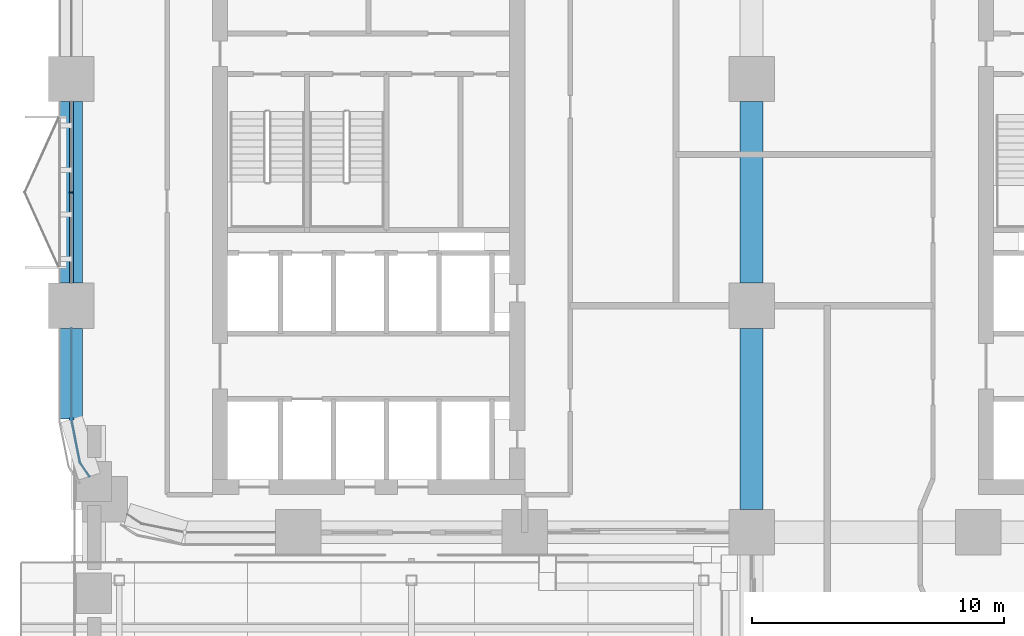
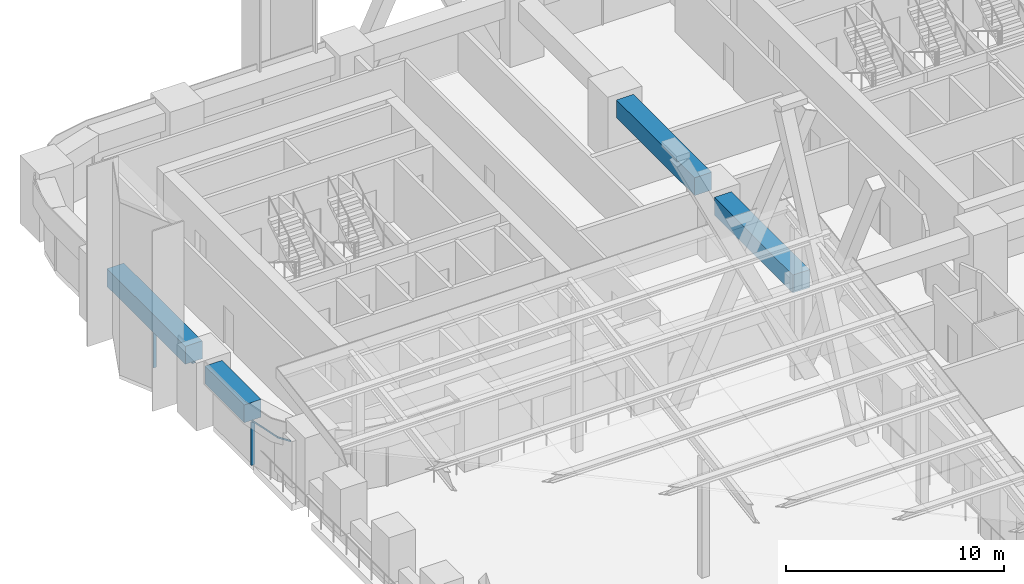
# One storey, part 6 of 22: 4 beams, 4 members, 2 elements without a shape of their own.
"""IFC4 building model written with IfcOpenShell, lengths in metres."""

from ifc_helpers import new_model, si_unit, direction, frame, origin, origin_2d, place, context, subcontext, project, spatial, polyline, rectangle, outline, extrude, material, material_profile, profile_set, type_object, element, aggregate, save


model = new_model("IFC4")

# Units and contexts
model_context = context("Model", 3, precision=1e-05, world=origin(), true_north=direction((0.0, 1.0)))
body_context = subcontext(model_context, "Body", "Model", "MODEL_VIEW")
ifc_project = project(units=[si_unit("LENGTHUNIT", "METRE"), si_unit("AREAUNIT", "SQUARE_METRE"), si_unit("VOLUMEUNIT", "CUBIC_METRE"), si_unit("PLANEANGLEUNIT", "RADIAN"), si_unit("MASSUNIT", "GRAM", prefix="KILO")], contexts=[model_context])

# Site, building, storey
site_placement = place(None, origin())
site = spatial("IfcSite", under=ifc_project, at=site_placement, CompositionType="ELEMENT")
building_placement = place(site_placement, origin())
building = spatial("IfcBuilding", under=site, at=building_placement, Name="Tessera Arch", CompositionType="ELEMENT")
storey_placement = place(building_placement, frame((0.0, 0.0, 77.800048828125)))
storey = spatial("IfcBuildingStorey", under=building, at=storey_placement, Name="L17", CompositionType="ELEMENT", Elevation=77.800048828125)

# Curtain wall, members
ifc_material_1 = material(Name="CW1 curtain wall")
curtain_wall_type_1 = type_object("IfcCurtainWallType", Name="CW1 curtain wall", PredefinedType="NOTDEFINED", material=ifc_material_1)
curtain_wall_1_placement = place(storey_placement, origin())
curtain_wall_1 = element("IfcCurtainWall", 1, at=curtain_wall_1_placement, inside=storey, type_object=curtain_wall_type_1, Name="CW1 curtain wall W0.27/1 L17", PredefinedType="NOTDEFINED")
ifc_material_2 = material(Name="Anodised aluminium pale metal", Category="aluminium")
ifc_material_profile_1 = material_profile(ifc_material_2, rectangle(XDim=0.159912109375, YDim=0.06005859375, at=origin_2d()), Name="AL 60x160")
ifc_profile_set_1 = profile_set([ifc_material_profile_1], Name="Anodised aluminium pale metal")
member_type_1 = type_object("IfcMemberType", Name="CW1 mullion", PredefinedType="MULLION", material=ifc_profile_set_1)
member_1_placement = place(storey_placement, frame((0.0, 40.5, 0.0), z_axis=(0.0, 0.0, 1.0), x_axis=(1.0, 0.0, 0.0)))
member_1 = element("IfcMember", 2, at=member_1_placement, type_object=member_type_1, Name="CW1 mullion W0.27/1 1", PredefinedType="MULLION", context=body_context, shape_type="SweptSolid", body=[
    extrude(rectangle(XDim=0.159912109375, YDim=0.06005859375, at=origin_2d()), origin(), (0.0, 0.0, 1.0), 2.39990234375),
])
ifc_material_3 = material(Name="Anodised aluminium pale metal", Category="aluminium")
ifc_material_profile_2 = material_profile(ifc_material_3, rectangle(XDim=0.159912109375, YDim=0.10009765625, at=origin_2d()), Name="AL 160x100")
ifc_profile_set_2 = profile_set([ifc_material_profile_2], Name="Anodised aluminium pale metal")
member_type_2 = type_object("IfcMemberType", Name="CW1 transom", PredefinedType="USERDEFINED", material=ifc_profile_set_2)
member_2_placement = place(storey_placement, frame((0.0, 44.10009765625, 2.449951171875), z_axis=(0.0, -1.0, 0.0), x_axis=(1.0, 0.0, 0.0)))
member_2 = element("IfcMember", 3, at=member_2_placement, type_object=member_type_2, Name="CW1 transom W0.27/1 1.1", ObjectType="TRANSOM", PredefinedType="USERDEFINED", context=body_context, shape_type="SweptSolid", body=[
    extrude(rectangle(XDim=0.159912109375, YDim=0.10009765625, at=origin_2d()), origin(), (0.0, 0.0, 1.0), 7.2001953125),
])
aggregate(curtain_wall_1, [member_1, member_2])

ifc_material_4 = material(Name="CW2 curtain wall")
curtain_wall_type_2 = type_object("IfcCurtainWallType", Name="CW2 curtain wall", PredefinedType="NOTDEFINED", material=ifc_material_4)
curtain_wall_2_placement = place(storey_placement, origin())
curtain_wall_2 = element("IfcCurtainWall", 4, at=curtain_wall_2_placement, inside=storey, type_object=curtain_wall_type_2, Name="CW2 curtain wall W0.27/2 L17", PredefinedType="NOTDEFINED")
ifc_material_5 = material(Name="Anodised aluminium pale metal", Category="aluminium")
ifc_material_profile_3 = material_profile(ifc_material_5, rectangle(XDim=0.199951171875, YDim=0.080078125, at=origin_2d()), Name="AL 80x200")
ifc_profile_set_3 = profile_set([ifc_material_profile_3], Name="Anodised aluminium pale metal")
member_type_3 = type_object("IfcMemberType", Name="CW2 mullion", PredefinedType="MULLION", material=ifc_profile_set_3)
member_3_placement = place(storey_placement, frame((0.0, 31.5, 0.0), z_axis=(0.0, 0.0, 1.0), x_axis=(1.0, 0.0, 0.0)))
member_3 = element("IfcMember", 5, at=member_3_placement, type_object=member_type_3, Name="CW2 mullion W0.27/2 1", PredefinedType="MULLION", context=body_context, shape_type="SweptSolid", body=[
    extrude(rectangle(XDim=0.199951171875, YDim=0.080078125, at=origin_2d()), origin(), (0.0, 0.0, 1.0), 2.39990234375),
])
ifc_material_6 = material(Name="Anodised aluminium pale metal", Category="aluminium")
ifc_material_profile_4 = material_profile(ifc_material_6, rectangle(XDim=0.199951171875, YDim=0.10009765625, at=origin_2d()), Name="AL 200x100")
ifc_profile_set_4 = profile_set([ifc_material_profile_4], Name="Anodised aluminium pale metal")
member_type_4 = type_object("IfcMemberType", Name="CW2 transom", PredefinedType="USERDEFINED", material=ifc_profile_set_4)
member_4_placement = place(storey_placement, frame((0.0, 0.0, 2.39990234375)))
member_4 = element("IfcMember", 6, at=member_4_placement, type_object=member_type_4, Name="CW2 transom W0.27/2 1", ObjectType="TRANSOM", PredefinedType="USERDEFINED", context=body_context, shape_type="SweptSolid", body=[
    extrude(outline(polyline([(0.010009765625, 31.5009765625), (0.010009765625, 35.10009765625), (-0.010009765625, 35.10009765625), (-0.010009765625, 31.4990234375), (0.3330078125, 29.77392578125), (0.70849609375, 29.21240234375), (0.72509765625, 29.2236328125), (0.351806640625, 29.78173828125), (0.010009765625, 31.5009765625)])), origin(), (0.0, 0.0, 1.0), 0.10009765625),
])
aggregate(curtain_wall_2, [member_3, member_4])

# Beams
ifc_material_7 = material(Name="Concrete C80/95", Category="concrete")
ifc_material_profile_5 = material_profile(ifc_material_7, rectangle(XDim=0.89990234375, YDim=1.0, at=origin_2d()), Name="RC spandrel beam 900 x 1000 Concrete C80/95")
ifc_profile_set_5 = profile_set([ifc_material_profile_5], Name="Concrete C80/95")
beam_type = type_object("IfcBeamType", Name="RC spandrel beam 900 x 1000 Concrete C80/95", PredefinedType="BEAM", material=ifc_profile_set_5)
beam_1_placement = place(storey_placement, frame((0.0, 44.10009765625, 3.0), z_axis=(0.0, -1.0, 0.0), x_axis=(1.0, 0.0, 0.0)))
element("IfcBeam", 7, at=beam_1_placement, inside=storey, type_object=beam_type, Name="Spandrel beam L17 W0.27/1", PredefinedType="BEAM", context=body_context, shape_type="SweptSolid", body=[
    extrude(rectangle(XDim=0.89990234375, YDim=1.0, at=origin_2d()), origin(), (0.0, 0.0, 1.0), 7.2001953125),
])
beam_2_placement = place(storey_placement, frame((0.0, 35.10009765625, 3.0), z_axis=(0.0, -1.0, 0.0), x_axis=(1.0, 0.0, 0.0)))
element("IfcBeam", 8, at=beam_2_placement, inside=storey, type_object=beam_type, Name="Spandrel beam L17 W0.27/2.1", PredefinedType="BEAM", context=body_context, shape_type="SweptSolid", body=[
    extrude(rectangle(XDim=0.89990234375, YDim=1.0, at=origin_2d()), origin(), (0.0, 0.0, 1.0), 3.60009765625),
])
for number, where, z_axis, x_axis, name in (
    (9, (27.0, 27.89990234375, 3.0), (0.0, 1.0, 0.0), (-1.0, 0.0, 0.0), "Interface beam L17 I0C4D-C4E"),
    (10, (27.0, 36.89990234375, 3.0), (0.0, 1.0, 0.0), (-1.0, 0.0, 0.0), "Interface beam L17 I0C4E-C4F"),
):
    element("IfcBeam", number, at=place(storey_placement, frame(where, z_axis=z_axis, x_axis=x_axis)), inside=storey, type_object=beam_type, Name=name, PredefinedType="BEAM", context=body_context, shape_type="SweptSolid", body=[
        extrude(rectangle(XDim=0.89990234375, YDim=1.0, at=origin_2d()), origin(), (0.0, 0.0, 1.0), 7.2001953125),
    ])

save(model, "model.ifc")
